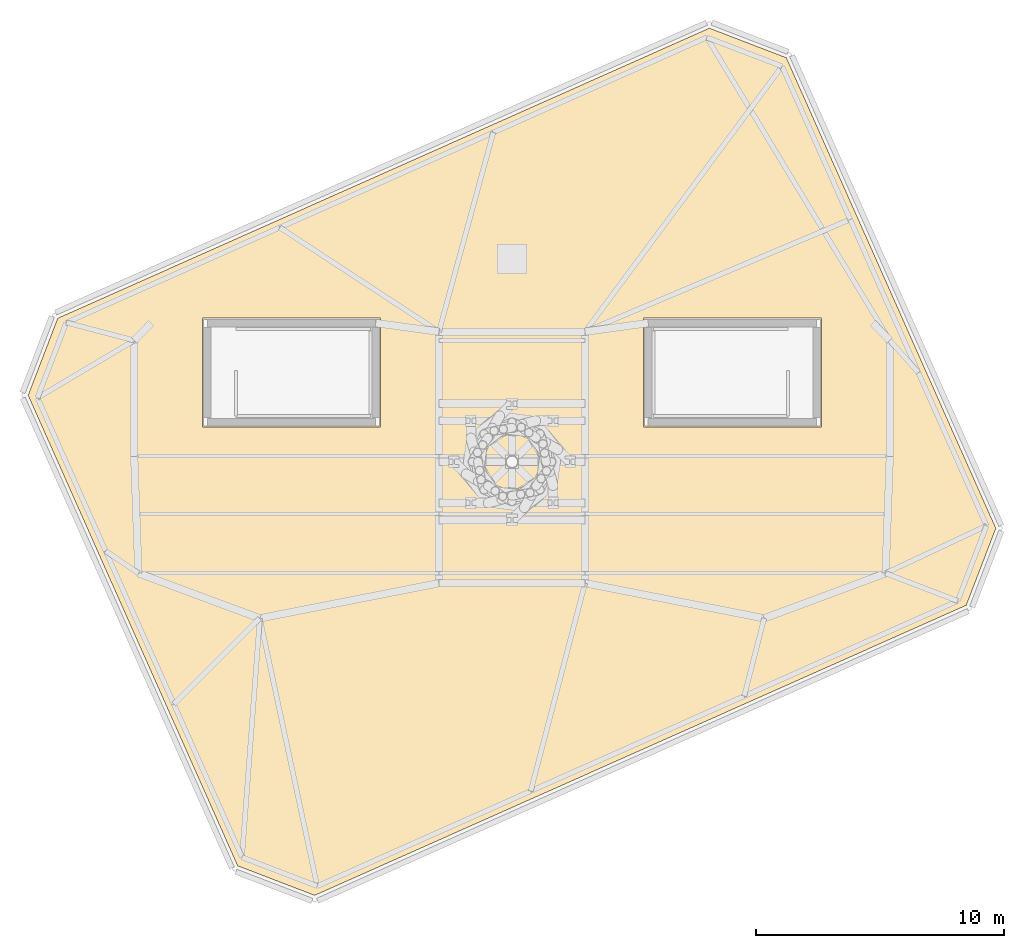
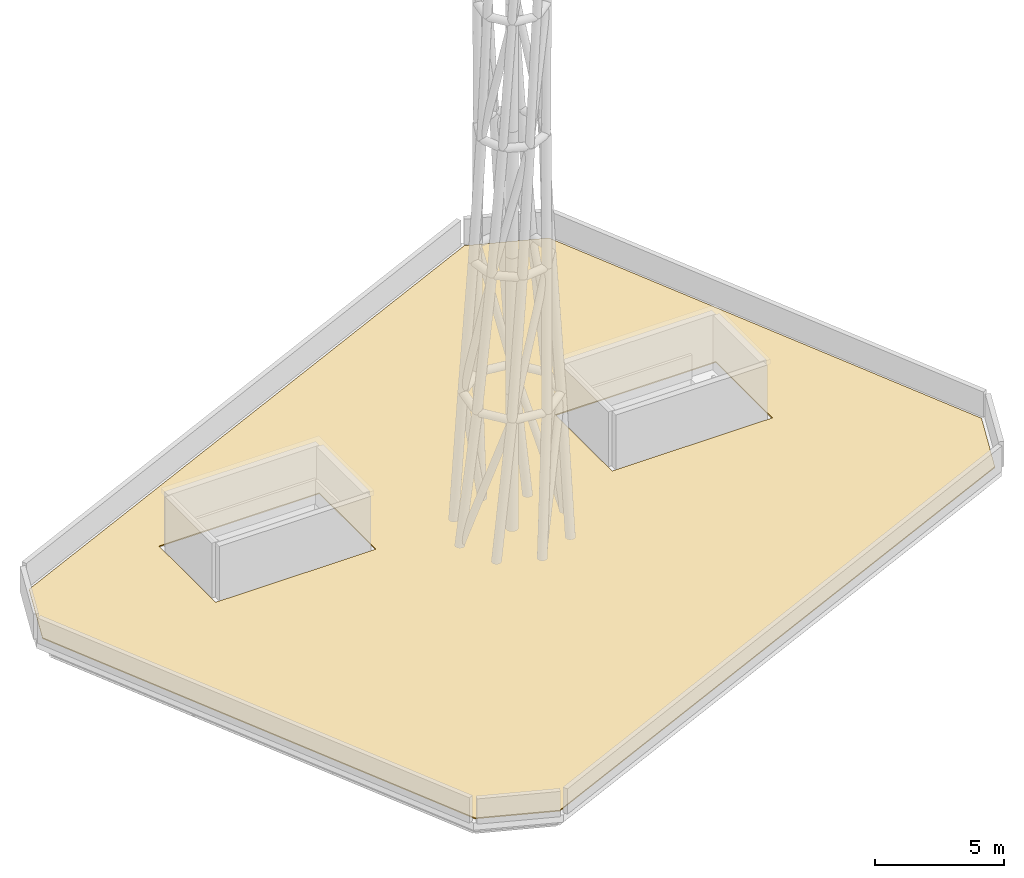
# One storey, part 5 of 5: 1 covering.
"""IFC4 building model written with IfcOpenShell, lengths in metres."""

import ifcopenshell
import ifcopenshell.guid

model = None  # the IFC model being written
_history = None  # IfcOwnerHistory: only IFC2X3 demands one
_inside = {}  # id of a spatial element -> (the spatial element, [elements in it])
_under = {}  # id of a project, library or spatial element -> (it, [spatial elements below it])
_declared = {}  # id of a project -> (the project, [libraries it declares])
_typed = {}  # id of a type object -> (the type object, [elements of that type])
_made_of = {}  # id of a material, layer set ... -> (it, [elements and type objects made of it])


def new_model(schema):
    """Start an empty IFC model of exactly this schema.

    Asked for "IFC4X3", IfcOpenShell would pick the latest addendum, in which some entities
    have other attributes; the version numbers below select the first issue.
    IFC2X3 requires an IfcOwnerHistory on every rooted entity: one is made here for all.
    """
    global model, _history
    if schema == "IFC4X3":
        model = ifcopenshell.file(schema_version=(4, 3, 0, 0))
    else:
        model = ifcopenshell.file(schema=schema)
    _inside.clear()
    _under.clear()
    _declared.clear()
    _typed.clear()
    _made_of.clear()
    _history = None
    if model.schema == "IFC2X3":
        org = make("IfcOrganization", Name="unknown")
        user = make(
            "IfcPersonAndOrganization",
            ThePerson=make("IfcPerson", FamilyName="unknown"),
            TheOrganization=org,
        )
        app = make(
            "IfcApplication",
            ApplicationDeveloper=org,
            Version="unknown",
            ApplicationFullName="unknown",
            ApplicationIdentifier="unknown",
        )
        _history = make(
            "IfcOwnerHistory",
            OwningUser=user,
            OwningApplication=app,
            ChangeAction="ADDED",
            CreationDate=0,
        )
    return model


def make(cls, **values):
    """One entity of the class cls with the attributes given. An attribute that is None is left unset."""
    return model.create_entity(
        cls, **{name: value for name, value in values.items() if value is not None}
    )


def rooted(cls, **values):
    """An entity with a GlobalId (a new one), such as an element, a storey or a relation."""
    return make(cls, GlobalId=ifcopenshell.guid.new(), OwnerHistory=_history, **values)


def si_unit(unit_type, name, prefix=None):
    """IfcSIUnit, for example si_unit("LENGTHUNIT", "METRE", prefix="MILLI")."""
    return make("IfcSIUnit", UnitType=unit_type, Prefix=prefix, Name=name)


def assignment(units):
    """IfcUnitAssignment: the units of a project."""
    return None if units is None else make("IfcUnitAssignment", Units=units)


def point(xyz):
    """IfcCartesianPoint."""
    return None if xyz is None else make("IfcCartesianPoint", Coordinates=xyz)


def direction(xyz):
    """IfcDirection."""
    return None if xyz is None else make("IfcDirection", DirectionRatios=xyz)


def frame(location, z_axis=None, x_axis=None):
    """IfcAxis2Placement3D, a coordinate frame: its origin and axes. An axis left out is left unset."""
    return make(
        "IfcAxis2Placement3D",
        Location=point(location),
        Axis=direction(z_axis),
        RefDirection=direction(x_axis),
    )


def origin():
    """The frame at (0, 0, 0) with its axes left unset."""
    return frame((0.0, 0.0, 0.0))


def place(relative_to, where):
    """IfcLocalPlacement: puts the frame where relative to a parent placement (None: the world)."""
    return make(
        "IfcLocalPlacement", PlacementRelTo=relative_to, RelativePlacement=where
    )


def context(
    kind, dimensions, precision=None, world=None, true_north=None, identifier=None
):
    """IfcGeometricRepresentationContext, for example the 3D "Model" context."""
    return make(
        "IfcGeometricRepresentationContext",
        ContextIdentifier=identifier,
        ContextType=kind,
        CoordinateSpaceDimension=dimensions,
        Precision=precision,
        WorldCoordinateSystem=world,
        TrueNorth=true_north,
    )


def subcontext(parent, identifier, kind, view, scale=None):
    """IfcGeometricRepresentationSubContext, for example "Body" below "Model"."""
    return make(
        "IfcGeometricRepresentationSubContext",
        ContextIdentifier=identifier,
        ContextType=kind,
        ParentContext=parent,
        TargetScale=scale,
        TargetView=view,
    )


def project(units=None, contexts=None):
    """IfcProject with its units and contexts."""
    return rooted(
        "IfcProject",
        Name="project",
        RepresentationContexts=contexts,
        UnitsInContext=assignment(units),
    )


def spatial(cls, under=None, at=None, **own):
    """A site, building, storey or space (cls), placed at a placement, below another one or the project."""
    s = rooted(cls, ObjectPlacement=at, **own)
    if under is not None:
        _under.setdefault(under.id(), (under, []))[1].append(s)
    return s


def polyline(points):
    """IfcPolyline through the points."""
    return make("IfcPolyline", Points=[point(p) for p in points])


def outline(outer, holes=None, kind="AREA"):
    """IfcArbitraryClosedProfileDef: a profile drawn as a closed curve; with holes, ...WithVoids."""
    if holes is None:
        return make("IfcArbitraryClosedProfileDef", ProfileType=kind, OuterCurve=outer)
    return make(
        "IfcArbitraryProfileDefWithVoids",
        ProfileType=kind,
        OuterCurve=outer,
        InnerCurves=holes,
    )


def extrude(swept, where, along, depth):
    """IfcExtrudedAreaSolid: the profile swept, set in the frame where, extruded along a direction by depth."""
    return make(
        "IfcExtrudedAreaSolid",
        SweptArea=swept,
        Position=where,
        ExtrudedDirection=direction(along),
        Depth=depth,
    )


def shape(context_of_items, identifier, shape_type, items):
    """IfcShapeRepresentation: the items that make up one representation, for example the "Body"."""
    return make(
        "IfcShapeRepresentation",
        ContextOfItems=context_of_items,
        RepresentationIdentifier=identifier,
        RepresentationType=shape_type,
        Items=items,
    )


def material(Name=None, Category=None):
    """IfcMaterial."""
    return make("IfcMaterial", Name=Name, Category=Category)


def layer(
    of_material, thickness, ventilated=None, Name=None, Category=None, Priority=None
):
    """IfcMaterialLayer: one layer of a wall or slab, of a material (None: an air gap)."""
    return make(
        "IfcMaterialLayer",
        Material=of_material,
        LayerThickness=thickness,
        IsVentilated=ventilated,
        Name=Name,
        Category=Category,
        Priority=Priority,
    )


def layer_set(layers, Name=None):
    """IfcMaterialLayerSet."""
    return make("IfcMaterialLayerSet", MaterialLayers=layers, LayerSetName=Name)


def made_of(thing, what):
    """Note that an element or type object is made of a material, layer set ...; save() writes the relation."""
    if what is not None:
        _made_of.setdefault(what.id(), (what, []))[1].append(thing)
    return thing


def type_object(cls, material=None, **own):
    """A type object (cls), such as IfcWallType, which elements share."""
    return made_of(rooted(cls, **own), material)


def element(
    cls,
    number,
    at=None,
    inside=None,
    cuts=None,
    type_object=None,
    material=None,
    context=None,
    identifier="Body",
    shape_type=None,
    held_by="IfcProductDefinitionShape",
    body=None,
    shapes=None,
    **own,
):
    """One element of the class cls, such as IfcWall. Its Tag is "e" and its number.

    at: its placement. inside: the storey or other place that contains it. cuts: it is an
    opening in that element (IfcRelVoidsElement). A single representation is given by context,
    identifier, shape_type and body (its items); several are given by shapes. held_by: the class
    of the entity that holds the representations. save() writes the other relations.
    """
    e = rooted(cls, Tag="e%d" % number, ObjectPlacement=at, **own)
    if body is not None:
        shapes = [shape(context, identifier, shape_type, body)]
    if shapes is not None:
        e.Representation = make(held_by, Representations=shapes)
    if inside is not None:
        _inside.setdefault(inside.id(), (inside, []))[1].append(e)
    if cuts is not None:
        rooted(
            "IfcRelVoidsElement", RelatingBuildingElement=cuts, RelatedOpeningElement=e
        )
    if type_object is not None:
        _typed.setdefault(type_object.id(), (type_object, []))[1].append(e)
    return made_of(e, material)


def aggregate(whole, parts):
    """IfcRelAggregates: a whole, such as a stair, and the parts it consists of."""
    return rooted("IfcRelAggregates", RelatingObject=whole, RelatedObjects=parts)


def save(model, path):
    """Write the relations noted so far, then the file.

    IfcRelAggregates (storeys below a building ...), IfcRelContainedInSpatialStructure (elements
    in a storey), IfcRelDefinesByType, IfcRelAssociatesMaterial and IfcRelDeclares: one each for
    every whole, place, type object, material and project.
    """
    for whole, parts in _under.values():
        aggregate(whole, parts)
    for where, things in _inside.values():
        rooted(
            "IfcRelContainedInSpatialStructure",
            RelatedElements=things,
            RelatingStructure=where,
        )
    for kind, things in _typed.values():
        rooted("IfcRelDefinesByType", RelatedObjects=things, RelatingType=kind)
    for what, things in _made_of.values():
        rooted("IfcRelAssociatesMaterial", RelatedObjects=things, RelatingMaterial=what)
    for by, libraries in _declared.values():
        rooted("IfcRelDeclares", RelatingContext=by, RelatedDefinitions=libraries)
    model.write(path)


model = new_model("IFC4")

# Units and contexts
model_context = context("Model", 3, precision=1e-05, world=origin(), true_north=direction((0.0, 1.0)))
body_context = subcontext(model_context, "Body", "Model", "MODEL_VIEW")
ifc_project = project(units=[si_unit("LENGTHUNIT", "METRE"), si_unit("AREAUNIT", "SQUARE_METRE"), si_unit("VOLUMEUNIT", "CUBIC_METRE"), si_unit("PLANEANGLEUNIT", "RADIAN"), si_unit("MASSUNIT", "GRAM", prefix="KILO")], contexts=[model_context])

# Site, building, storey
site_placement = place(None, origin())
site = spatial("IfcSite", under=ifc_project, at=site_placement, CompositionType="ELEMENT")
building_placement = place(site_placement, origin())
building = spatial("IfcBuilding", under=site, at=building_placement, Name="Menara Jurai Vektor", CompositionType="ELEMENT")
storey_placement = place(building_placement, frame((0.0, 0.0, 312.0)))
storey = spatial("IfcBuildingStorey", under=building, at=storey_placement, Name="Roof", CompositionType="ELEMENT", Elevation=312.0)

# Covering
ifc_material = material(Name="Insulated Pale Metal Standing-Seam Roofing", Category="aluminium")
ifc_layer = layer(ifc_material, 0.050048828125)
ifc_layer_set = layer_set([ifc_layer], Name="Insulated Pale Metal Standing-Seam Roofing")
covering_type = type_object("IfcCoveringType", Name="ENV-COV-ROOFING", PredefinedType="ROOFING", material=ifc_layer_set)
covering_placement = place(storey_placement, origin())
element("IfcCovering", 1, at=covering_placement, inside=storey, type_object=covering_type, Name="Crown Plant Drum Standing-Seam Metal Roofing", PredefinedType="ROOFING", context=body_context, shape_type="SweptSolid", body=[
    extrude(outline(polyline([(-11.0732421875, -16.310546875), (-7.9658203125, -17.50341796875), (18.337646484375, -5.7919921875), (19.530517578125, -2.684814453125), (11.0732421875, 16.310546875), (7.9658203125, 17.50341796875), (-18.337646484375, 5.7919921875), (-19.530517578125, 2.684814453125), (-11.0732421875, -16.310546875)]), holes=[polyline([(-12.5, 5.800048828125), (-12.5, 1.39990234375), (-5.300048828125, 1.39990234375), (-5.300048828125, 5.800048828125), (-12.5, 5.800048828125)]), polyline([(12.5, 5.800048828125), (5.300048828125, 5.800048828125), (5.300048828125, 1.39990234375), (12.5, 1.39990234375), (12.5, 5.800048828125)])]), origin(), (0.0, 0.0, 1.0), 0.050048828125),
])

save(model, "model.ifc")
